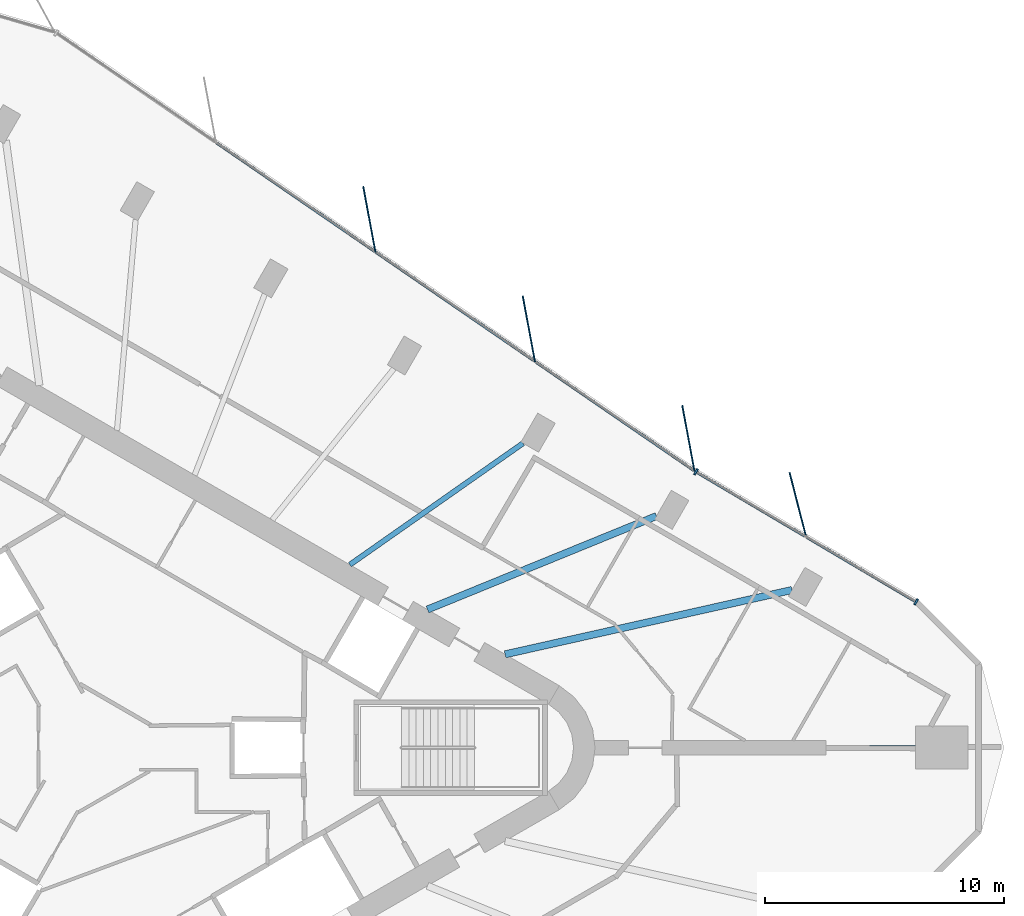
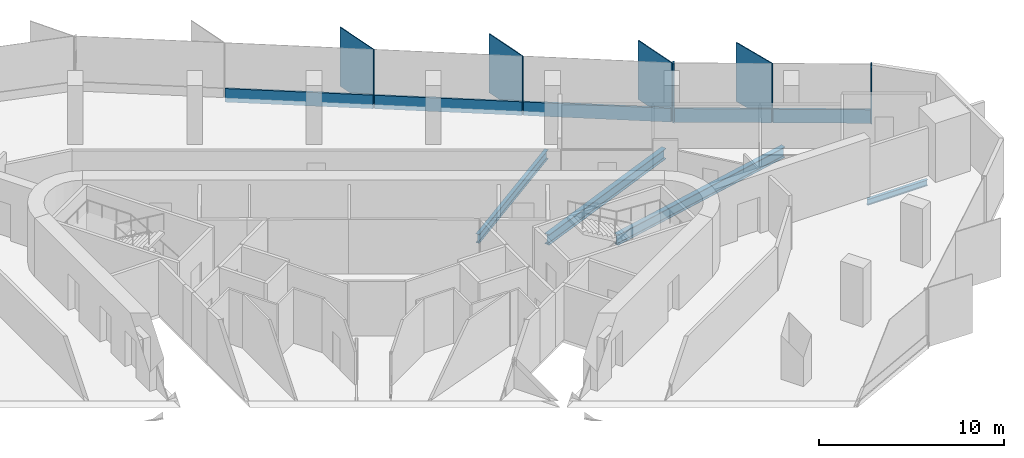
# One storey, part 5 of 14: 11 members, 4 beams, 2 elements without a shape of their own.
"""IFC4 building model written with IfcOpenShell, lengths in metres."""

from ifc_helpers import new_model, si_unit, direction, frame, origin, origin_2d, place, context, subcontext, project, spatial, rectangle, i_section, extrude, material, material_profile, profile_set, type_object, element, aggregate, save


model = new_model("IFC4")

# Units and contexts
model_context = context("Model", 3, precision=1e-05, world=origin(), true_north=direction((0.0, 1.0)))
body_context = subcontext(model_context, "Body", "Model", "MODEL_VIEW")
ifc_project = project(units=[si_unit("LENGTHUNIT", "METRE"), si_unit("AREAUNIT", "SQUARE_METRE"), si_unit("VOLUMEUNIT", "CUBIC_METRE"), si_unit("PLANEANGLEUNIT", "RADIAN"), si_unit("MASSUNIT", "GRAM", prefix="KILO")], contexts=[model_context])

# Site, building, storey
site_placement = place(None, origin())
site = spatial("IfcSite", under=ifc_project, at=site_placement, CompositionType="ELEMENT")
building_placement = place(site_placement, origin())
building = spatial("IfcBuilding", under=site, at=building_placement, Name="Tanit Gate Tower", CompositionType="ELEMENT")
storey_placement = place(building_placement, frame((0.0, 0.0, 302.60009765625)))
storey = spatial("IfcBuildingStorey", under=building, at=storey_placement, Name="L67", CompositionType="ELEMENT", Elevation=302.60009765625)

# Curtain wall, member
ifc_material_1 = material(Name="Aluminium bronze anodised and glass", Category="aluminium")
curtain_wall_type = type_object("IfcCurtainWallType", Name="Curtain wall typical high", PredefinedType="NOTDEFINED", material=ifc_material_1)
curtain_wall_1_placement = place(storey_placement, origin())
curtain_wall_1 = element("IfcCurtainWall", 1, at=curtain_wall_1_placement, inside=storey, type_object=curtain_wall_type, Name="Curtain wall L67 NE1", PredefinedType="NOTDEFINED")
ifc_material_2 = material(Name="Aluminium bronze anodised", Category="aluminium")
ifc_material_profile_1 = material_profile(ifc_material_2, rectangle(XDim=2.800048828125, YDim=0.055908203125, at=origin_2d()), Name="56x2800 bronze fin mullion")
ifc_profile_set_1 = profile_set([ifc_material_profile_1], Name="Aluminium bronze anodised")
member_type_1 = type_object("IfcMemberType", Name="FIN MULLION 56x2800 bronze", PredefinedType="MULLION", material=ifc_profile_set_1)
member_1_placement = place(storey_placement, frame((29.696533203125, 10.170654296875, -0.300048828125), z_axis=(0.0, 0.0, 1.0), x_axis=(0.249005848841, -0.968501981022, 0.0)))
member_1 = element("IfcMember", 2, at=member_1_placement, type_object=member_type_1, Name="Fin mullion L67 NE1.2", PredefinedType="MULLION", context=body_context, shape_type="SweptSolid", body=[
    extrude(rectangle(XDim=2.800048828125, YDim=0.055908203125, at=origin_2d()), origin(), (0.0, 0.0, 1.0), 3.89990234375),
])

# Curtain wall, members
curtain_wall_2_placement = place(storey_placement, origin())
curtain_wall_2 = element("IfcCurtainWall", 3, at=curtain_wall_2_placement, inside=storey, type_object=curtain_wall_type, Name="Curtain wall L67 NE2", PredefinedType="NOTDEFINED")
member_2_placement = place(storey_placement, frame((25.1083984375, 12.959228515625, -0.300048828125), z_axis=(0.0, 0.0, 1.0), x_axis=(0.182847499991, -0.983141287785, 0.0)))
member_2 = element("IfcMember", 4, at=member_2_placement, type_object=member_type_1, Name="Fin mullion L67 NE2.1", PredefinedType="MULLION", context=body_context, shape_type="SweptSolid", body=[
    extrude(rectangle(XDim=2.800048828125, YDim=0.055908203125, at=origin_2d()), origin(), (0.0, 0.0, 1.0), 3.89990234375),
])
member_3_placement = place(storey_placement, frame((18.426513671875, 17.54541015625, -0.300048828125), z_axis=(0.0, 0.0, 1.0), x_axis=(0.182847499991, -0.983141287785, 0.0)))
member_3 = element("IfcMember", 5, at=member_3_placement, type_object=member_type_1, Name="Fin mullion L67 NE2.2", PredefinedType="MULLION", context=body_context, shape_type="SweptSolid", body=[
    extrude(rectangle(XDim=2.800048828125, YDim=0.055908203125, at=origin_2d()), origin(), (0.0, 0.0, 1.0), 3.89990234375),
])
member_4_placement = place(storey_placement, frame((11.74462890625, 22.131591796875, -0.300048828125), z_axis=(0.0, 0.0, 1.0), x_axis=(0.182847499991, -0.983141287785, 0.0)))
member_4 = element("IfcMember", 6, at=member_4_placement, type_object=member_type_1, Name="Fin mullion L67 NE2.3", PredefinedType="MULLION", context=body_context, shape_type="SweptSolid", body=[
    extrude(rectangle(XDim=2.800048828125, YDim=0.055908203125, at=origin_2d()), origin(), (0.0, 0.0, 1.0), 3.89990234375),
])

# Member
ifc_material_3 = material(Name="Aluminium bronze anodised", Category="aluminium")
ifc_material_profile_2 = material_profile(ifc_material_3, rectangle(XDim=0.280029296875, YDim=0.080078125, at=origin_2d()), Name="80x280 bronze mullion")
ifc_profile_set_2 = profile_set([ifc_material_profile_2], Name="Aluminium bronze anodised")
member_type_2 = type_object("IfcMemberType", Name="Mullion 80x280 typical high", PredefinedType="MULLION", material=ifc_profile_set_2)
member_5_placement = place(storey_placement, frame((34.652099609375, 6.1083984375, -0.300048828125), z_axis=(0.0, 0.0, 1.0), x_axis=(-0.508760594103, -0.860908042644, 0.0)))
member_5 = element("IfcMember", 7, at=member_5_placement, type_object=member_type_2, Name="Mullion L67 NE1.1", PredefinedType="MULLION", context=body_context, shape_type="SweptSolid", body=[
    extrude(rectangle(XDim=0.280029296875, YDim=0.080078125, at=origin_2d()), origin(), (0.0, 0.0, 1.0), 3.89990234375),
])

member_6_placement = place(storey_placement, frame((25.42822265625, 11.559326171875, -0.300048828125), z_axis=(0.0, 0.0, 1.0), x_axis=(-0.508760594103, -0.860908042644, 0.0)))
member_6 = element("IfcMember", 8, at=member_6_placement, type_object=member_type_2, Name="Mullion L67 NE1.3", PredefinedType="MULLION", context=body_context, shape_type="SweptSolid", body=[
    extrude(rectangle(XDim=0.280029296875, YDim=0.080078125, at=origin_2d()), origin(), (0.0, 0.0, 1.0), 3.89990234375),
])

# Beams
ifc_material_4 = material(Name="Steel S355", Category="steel")
ifc_material_profile_3 = material_profile(ifc_material_4, i_section(OverallWidth=0.300048828125, OverallDepth=0.68994140625, WebThickness=0.014404296875, FlangeThickness=0.027099609375, FilletRadius=0.027099609375, at=origin_2d()), Name="HEA 700")
ifc_profile_set_3 = profile_set([ifc_material_profile_3], Name="Steel S355")
beam_type_1 = type_object("IfcBeamType", Name="RADIAL GIRDER HEA 700 S355", PredefinedType="BEAM", material=ifc_profile_set_3)
beam_1_placement = place(storey_placement, frame((29.446533203125, 6.605712890625, -0.64501953125), z_axis=(-0.975751261889, -0.218882331225, 0.0), x_axis=(0.218882331225, -0.975751261889, 0.0)))
element("IfcBeam", 9, at=beam_1_placement, inside=storey, type_object=beam_type_1, Name="RADIAL GIRDER", PredefinedType="BEAM", context=body_context, shape_type="SweptSolid", body=[
    extrude(i_section(OverallWidth=0.300048828125, OverallDepth=0.68994140625, WebThickness=0.014404296875, FlangeThickness=0.027099609375, FilletRadius=0.027099609375, at=origin_2d()), origin(), (0.0, 0.0, 1.0), 12.31396484375),
])
beam_2_placement = place(storey_placement, frame((23.7705078125, 9.7021484375, -0.64501953125), z_axis=(-0.925849999648, -0.377891225292, 0.0), x_axis=(0.377891225292, -0.925849999648, 0.0)))
element("IfcBeam", 10, at=beam_2_placement, inside=storey, type_object=beam_type_1, Name="RADIAL GIRDER", PredefinedType="BEAM", context=body_context, shape_type="SweptSolid", body=[
    extrude(i_section(OverallWidth=0.300048828125, OverallDepth=0.68994140625, WebThickness=0.014404296875, FlangeThickness=0.027099609375, FilletRadius=0.027099609375, at=origin_2d()), origin(), (0.0, 0.0, 1.0), 10.35888671875),
])
ifc_material_5 = material(Name="Steel S355", Category="steel")
ifc_material_profile_4 = material_profile(ifc_material_5, i_section(OverallWidth=0.179931640625, OverallDepth=0.39990234375, WebThickness=0.008544921875, FlangeThickness=0.013427734375, FilletRadius=0.02099609375, at=origin_2d()), Name="IPE 400")
ifc_profile_set_4 = profile_set([ifc_material_profile_4], Name="Steel S355")
beam_type_2 = type_object("IfcBeamType", Name="RADIAL GIRDER IPE 400 S355", PredefinedType="BEAM", material=ifc_profile_set_4)
beam_3_placement = place(storey_placement, frame((34.630615234375, 0.0, -0.5), z_axis=(-1.0, 0.0, 0.0), x_axis=(0.0, -1.0, 0.0)))
element("IfcBeam", 11, at=beam_3_placement, inside=storey, type_object=beam_type_2, Name="RADIAL GIRDER", PredefinedType="BEAM", context=body_context, shape_type="SweptSolid", body=[
    extrude(i_section(OverallWidth=0.179931640625, OverallDepth=0.39990234375, WebThickness=0.008544921875, FlangeThickness=0.013427734375, FilletRadius=0.02099609375, at=origin_2d()), origin(), (0.0, 0.0, 1.0), 3.760498046875),
])
ifc_material_6 = material(Name="Steel S355", Category="steel")
ifc_material_profile_5 = material_profile(ifc_material_6, i_section(OverallWidth=0.219970703125, OverallDepth=0.60009765625, WebThickness=0.011962890625, FlangeThickness=0.01904296875, FilletRadius=0.02392578125, at=origin_2d()), Name="IPE 600")
ifc_profile_set_5 = profile_set([ifc_material_profile_5], Name="Steel S355")
beam_type_3 = type_object("IfcBeamType", Name="RADIAL GIRDER IPE 600 S355", PredefinedType="BEAM", material=ifc_profile_set_5)
beam_4_placement = place(storey_placement, frame((18.1826171875, 12.752685546875, -0.60009765625), z_axis=(-0.818711219001, -0.574205485764, 0.0), x_axis=(0.574205485764, -0.818711219001, 0.0)))
element("IfcBeam", 12, at=beam_4_placement, inside=storey, type_object=beam_type_3, Name="RADIAL GIRDER", PredefinedType="BEAM", context=body_context, shape_type="SweptSolid", body=[
    extrude(i_section(OverallWidth=0.219970703125, OverallDepth=0.60009765625, WebThickness=0.011962890625, FlangeThickness=0.01904296875, FilletRadius=0.02392578125, at=origin_2d()), origin(), (0.0, 0.0, 1.0), 8.86083984375),
])

# Member
ifc_material_7 = material(Name="Aluminium bronze anodised", Category="aluminium")
ifc_material_profile_6 = material_profile(ifc_material_7, rectangle(XDim=0.1201171875, YDim=0.89990234375, at=origin_2d()), Name="120x900 bronze transom")
ifc_profile_set_6 = profile_set([ifc_material_profile_6], Name="Aluminium bronze anodised")
member_type_3 = type_object("IfcMemberType", Name="Transom 120x900 typical high", PredefinedType="USERDEFINED", material=ifc_profile_set_6)
member_7_placement = place(storey_placement, frame((34.61767578125, 6.128662109375, 0.14990234375), z_axis=(-0.860910870601, 0.508755808695, 0.0), x_axis=(-0.508755808695, -0.860910870601, 0.0)))
member_7 = element("IfcMember", 13, at=member_7_placement, type_object=member_type_3, Name="Transom L67 NE1.1", ObjectType="TRANSOM", PredefinedType="USERDEFINED", context=body_context, shape_type="SweptSolid", body=[
    extrude(rectangle(XDim=0.1201171875, YDim=0.89990234375, at=origin_2d()), origin(), (0.0, 0.0, 1.0), 5.277099609375),
])

member_8_placement = place(storey_placement, frame((30.005615234375, 8.854248046875, 0.14990234375), z_axis=(-0.860898895481, 0.508776072314, 0.0), x_axis=(-0.508776072314, -0.860898895481, 0.0)))
member_8 = element("IfcMember", 14, at=member_8_placement, type_object=member_type_3, Name="Transom L67 NE1.2", ObjectType="TRANSOM", PredefinedType="USERDEFINED", context=body_context, shape_type="SweptSolid", body=[
    extrude(rectangle(XDim=0.1201171875, YDim=0.89990234375, at=origin_2d()), origin(), (0.0, 0.0, 1.0), 5.277099609375),
])

aggregate(curtain_wall_1, [member_5, member_1, member_6, member_7, member_8])

member_9_placement = place(storey_placement, frame((25.327880859375, 11.625, 0.14990234375), z_axis=(-0.824475777341, 0.565897245601, 0.0), x_axis=(-0.565897245601, -0.824475777341, 0.0)))
member_9 = element("IfcMember", 15, at=member_9_placement, type_object=member_type_3, Name="Transom L67 NE2.1", ObjectType="TRANSOM", PredefinedType="USERDEFINED", context=body_context, shape_type="SweptSolid", body=[
    extrude(rectangle(XDim=0.1201171875, YDim=0.89990234375, at=origin_2d()), origin(), (0.0, 0.0, 1.0), 8.0244140625),
])

member_10_placement = place(storey_placement, frame((18.64599609375, 16.211181640625, 0.14990234375), z_axis=(-0.824475777341, 0.565897245601, 0.0), x_axis=(-0.565897245601, -0.824475777341, 0.0)))
member_10 = element("IfcMember", 16, at=member_10_placement, type_object=member_type_3, Name="Transom L67 NE2.2", ObjectType="TRANSOM", PredefinedType="USERDEFINED", context=body_context, shape_type="SweptSolid", body=[
    extrude(rectangle(XDim=0.1201171875, YDim=0.89990234375, at=origin_2d()), origin(), (0.0, 0.0, 1.0), 8.0244140625),
])

member_11_placement = place(storey_placement, frame((11.9638671875, 20.79736328125, 0.14990234375), z_axis=(-0.824466033815, 0.565911441027, 0.0), x_axis=(-0.565911441027, -0.824466033815, 0.0)))
member_11 = element("IfcMember", 17, at=member_11_placement, type_object=member_type_3, Name="Transom L67 NE2.3", ObjectType="TRANSOM", PredefinedType="USERDEFINED", context=body_context, shape_type="SweptSolid", body=[
    extrude(rectangle(XDim=0.1201171875, YDim=0.89990234375, at=origin_2d()), origin(), (0.0, 0.0, 1.0), 8.024169921875),
])

aggregate(curtain_wall_2, [member_2, member_3, member_4, member_9, member_10, member_11])

save(model, "model.ifc")
